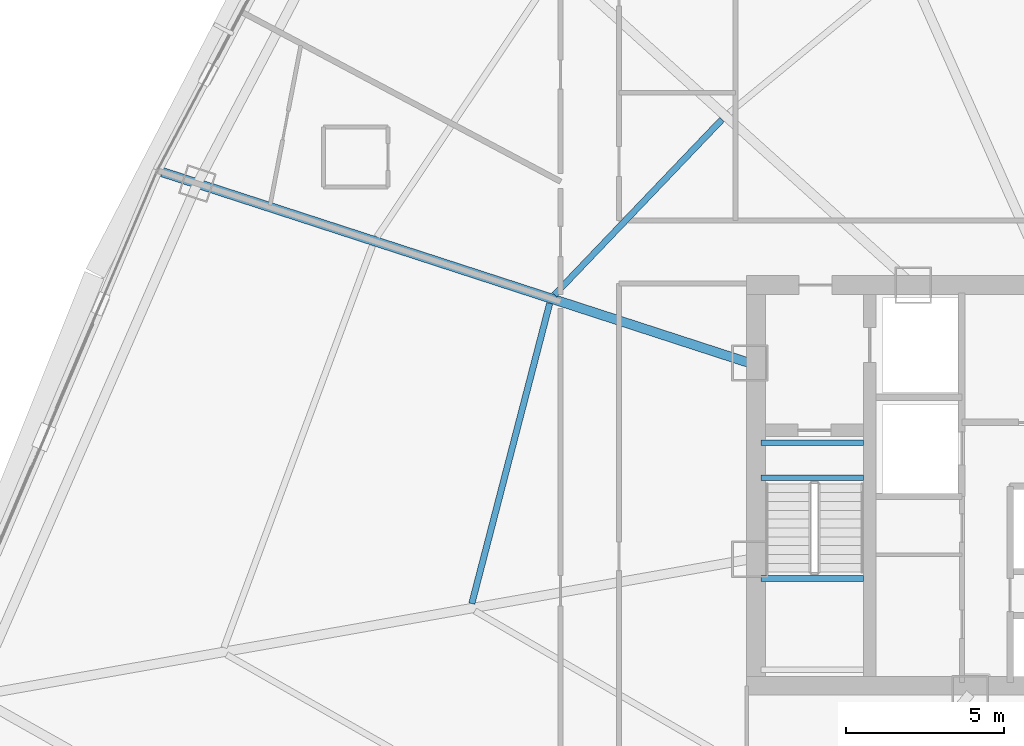
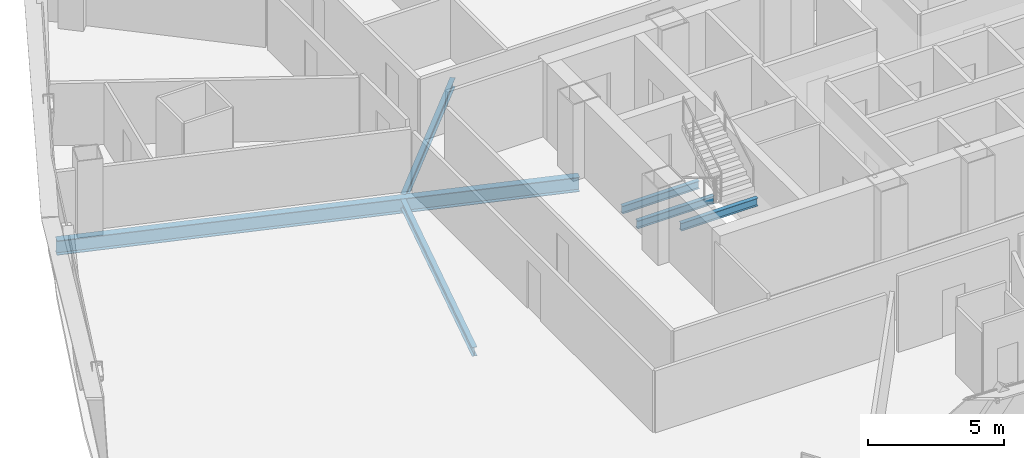
# One storey, part 9 of 42: 6 beams.
"""IFC4 building model written with IfcOpenShell, lengths in metres."""

from ifc_helpers import new_model, si_unit, direction, frame, origin, origin_2d, place, context, subcontext, project, spatial, i_section, extrude, source, transform, mapped, material, material_profile, profile_set, type_object, element, save


model = new_model("IFC4")

# Units and contexts
model_context = context("Model", 3, precision=1e-05, world=origin(), true_north=direction((0.0, 1.0)))
body_context = subcontext(model_context, "Body", "Model", "MODEL_VIEW")
ifc_project = project(units=[si_unit("LENGTHUNIT", "METRE"), si_unit("AREAUNIT", "SQUARE_METRE"), si_unit("VOLUMEUNIT", "CUBIC_METRE"), si_unit("PLANEANGLEUNIT", "RADIAN"), si_unit("MASSUNIT", "GRAM", prefix="KILO"), si_unit("THERMODYNAMICTEMPERATUREUNIT", "KELVIN"), si_unit("POWERUNIT", "WATT")], contexts=[model_context])

# Site, building, storey
site_placement = place(None, origin())
site = spatial("IfcSite", under=ifc_project, at=site_placement, CompositionType="ELEMENT")
building_placement = place(site_placement, origin())
building = spatial("IfcBuilding", under=site, at=building_placement, Name="Yunzhuo Pagoda Commons", CompositionType="ELEMENT")
storey_placement = place(building_placement, frame((0.0, 0.0, 151.909912109375)))
storey = spatial("IfcBuildingStorey", under=building, at=storey_placement, Name="L38", CompositionType="ELEMENT", Elevation=151.909912109375)

# Beams
ifc_material = material(Name="Structural steel Q355B", Category="steel")
ifc_material_profile_1 = material_profile(ifc_material, i_section(OverallWidth=0.175048828125, OverallDepth=0.35009765625, WebThickness=0.007080078125, FlangeThickness=0.010986328125, at=origin_2d()), Name="Structural steel Q355B")
ifc_profile_set_1 = profile_set([ifc_material_profile_1], Name="Structural steel Q355B")
beam_type_1 = type_object("IfcBeamType", Name="B-JS2 Joist HN 350x175x7x11", PredefinedType="JOIST", material=ifc_profile_set_1)
shared_shape_1 = source(origin(), body_context, "Body", "SweptSolid", [
    extrude(i_section(OverallWidth=0.175048828125, OverallDepth=0.35009765625, WebThickness=0.007080078125, FlangeThickness=0.010986328125, at=origin_2d()), origin(), (0.0, 0.0, 1.0), 3.25),
])
for number, where, z_axis, x_axis, name in (
    (1, (35.949951171875, 30.89990234375, 1.465087890625), (1.0, 0.0, 0.0), (0.0, 1.0, 0.0), "L38 ST1 landing support beam 44B"),
    (2, (35.949951171875, 34.10009765625, -0.375), (1.0, 0.0, 0.0), (0.0, 1.0, 0.0), "L38 ST1 landing support beam 142A"),
    (3, (35.949951171875, 35.199951171875, -0.375), (1.0, 0.0, 0.0), (0.0, 1.0, 0.0), "L38 ST1 landing support beam 142B"),
):
    element("IfcBeam", number, at=place(storey_placement, frame(where, z_axis=z_axis, x_axis=x_axis)), inside=storey, type_object=beam_type_1, Name=name, PredefinedType="JOIST", context=body_context, shape_type="MappedRepresentation", body=[
        mapped(shared_shape_1, transform((0.0, 0.0, 0.0), scale=1.0)),
    ])
ifc_material_profile_2 = material_profile(ifc_material, i_section(OverallWidth=0.199951171875, OverallDepth=0.39990234375, WebThickness=0.008056640625, FlangeThickness=0.012939453125, at=origin_2d()), Name="Structural steel Q355B")
ifc_profile_set_2 = profile_set([ifc_material_profile_2], Name="Structural steel Q355B")
beam_type_2 = type_object("IfcBeamType", Name="B-JS1 Joist HN 400x200x8x13", PredefinedType="JOIST", material=ifc_profile_set_2)
shared_shape_2 = source(origin(), body_context, "Body", "SweptSolid", [
    extrude(i_section(OverallWidth=0.199951171875, OverallDepth=0.39990234375, WebThickness=0.008056640625, FlangeThickness=0.012939453125, at=origin_2d()), origin(), (0.0, 0.0, 1.0), 9.8330078125),
])
beam_1_placement = place(storey_placement, frame((29.254638671875, 39.623779296875, -0.4599609375), z_axis=(-0.251166367041, -0.967943932295, 0.0), x_axis=(0.967943932295, -0.251166367041, 0.0)))
element("IfcBeam", 4, at=beam_1_placement, inside=storey, type_object=beam_type_2, Name="L38 composite ring joist 1.11", PredefinedType="JOIST", context=body_context, shape_type="MappedRepresentation", body=[
    mapped(shared_shape_2, transform((0.0, 0.0, 0.0), scale=1.0)),
])
shared_shape_3 = source(origin(), body_context, "Body", "SweptSolid", [
    extrude(i_section(OverallWidth=0.199951171875, OverallDepth=0.39990234375, WebThickness=0.008056640625, FlangeThickness=0.012939453125, at=origin_2d()), origin(), (0.0, 0.0, 1.0), 7.685546875),
])
beam_2_placement = place(storey_placement, frame((34.714111328125, 45.448974609375, -0.4599609375), z_axis=(-0.690882862648, -0.722966714378, 0.0), x_axis=(0.722966714378, -0.690882862648, 0.0)))
element("IfcBeam", 5, at=beam_2_placement, inside=storey, type_object=beam_type_2, Name="L38 composite ring joist 1.10", PredefinedType="JOIST", context=body_context, shape_type="MappedRepresentation", body=[
    mapped(shared_shape_3, transform((0.0, 0.0, 0.0), scale=1.0)),
])
ifc_material_profile_3 = material_profile(ifc_material, i_section(OverallWidth=0.300048828125, OverallDepth=0.64990234375, WebThickness=0.012939453125, FlangeThickness=0.02197265625, at=origin_2d()), Name="Structural steel Q355B")
ifc_profile_set_3 = profile_set([ifc_material_profile_3], Name="Structural steel Q355B")
beam_type_3 = type_object("IfcBeamType", Name="B-RG2 Beam HN 650x300x13x22", PredefinedType="BEAM", material=ifc_profile_set_3)
shared_shape_4 = source(origin(), body_context, "Body", "SweptSolid", [
    extrude(i_section(OverallWidth=0.300048828125, OverallDepth=0.64990234375, WebThickness=0.012939453125, FlangeThickness=0.02197265625, at=origin_2d()), origin(), (0.0, 0.0, 1.0), 19.594482421875),
])
beam_3_placement = place(storey_placement, frame((16.964599609375, 43.7841796875, -0.5849609375), z_axis=(0.951054485202, -0.309023245365, 0.0), x_axis=(0.309023245365, 0.951054485202, 0.0)))
element("IfcBeam", 6, at=beam_3_placement, inside=storey, type_object=beam_type_3, Name="L38 radial floor girder F3C3", PredefinedType="BEAM", context=body_context, shape_type="MappedRepresentation", body=[
    mapped(shared_shape_4, transform((0.0, 0.0, 0.0), scale=1.0)),
])

save(model, "model.ifc")
